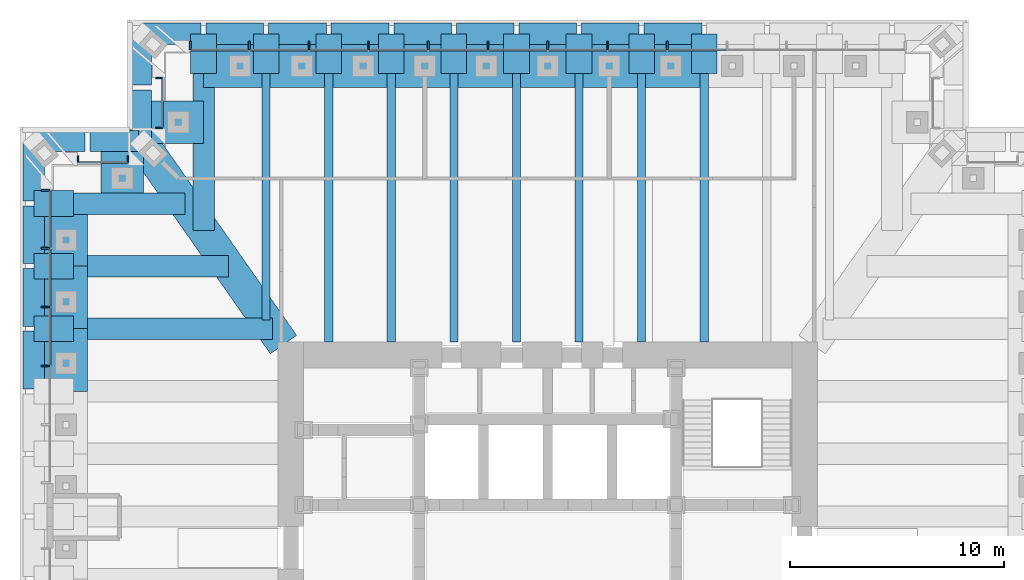
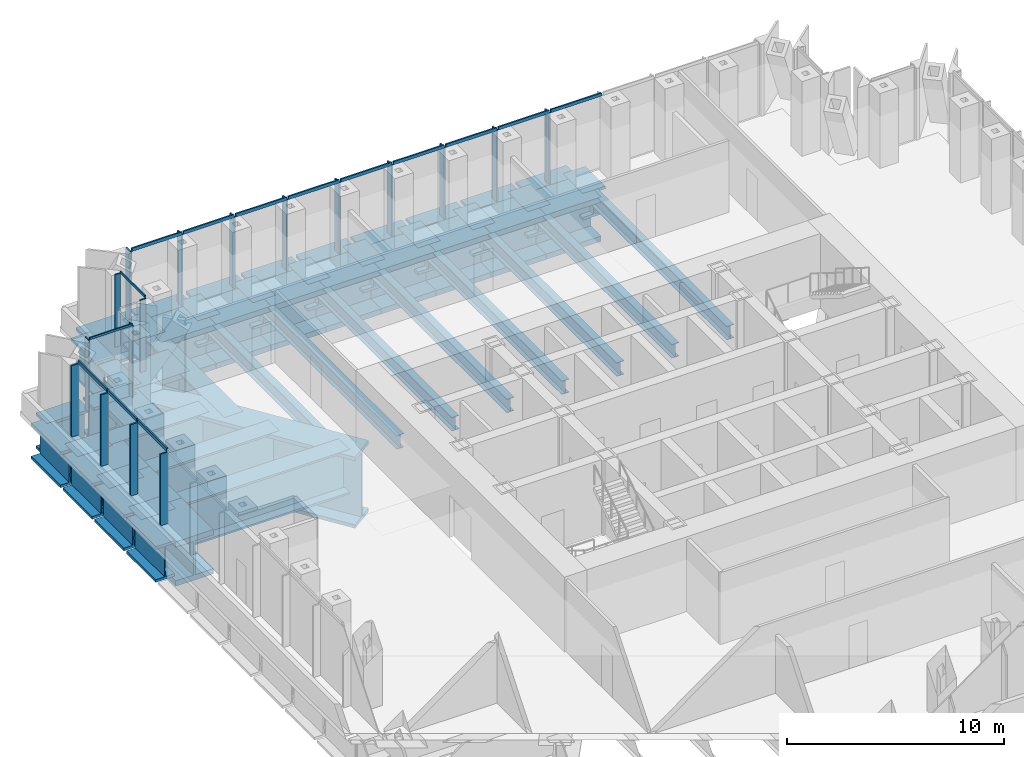
# One storey, part 5 of 13: 55 beams, 31 members, 4 elements without a shape of their own.
"""IFC4 building model written with IfcOpenShell, lengths in metres."""

from ifc_helpers import new_model, si_unit, direction, frame, origin, origin_2d, place, context, subcontext, project, spatial, rectangle, i_section, extrude, material, material_profile, profile_set, type_object, element, aggregate, save


model = new_model("IFC4")

# Units and contexts
model_context = context("Model", 3, precision=1e-05, world=origin(), true_north=direction((0.0, 1.0)))
body_context = subcontext(model_context, "Body", "Model", "MODEL_VIEW")
ifc_project = project(units=[si_unit("LENGTHUNIT", "METRE"), si_unit("AREAUNIT", "SQUARE_METRE"), si_unit("VOLUMEUNIT", "CUBIC_METRE"), si_unit("PLANEANGLEUNIT", "RADIAN"), si_unit("MASSUNIT", "GRAM", prefix="KILO")], contexts=[model_context])

# Site, building, storey
site_placement = place(None, origin())
site = spatial("IfcSite", under=ifc_project, at=site_placement, CompositionType="ELEMENT")
building_placement = place(site_placement, origin())
building = spatial("IfcBuilding", under=site, at=building_placement, Name="Daluyong Arena Tower", CompositionType="ELEMENT")
storey_placement = place(building_placement, frame((0.0, 0.0, 108.10009765625)))
storey = spatial("IfcBuildingStorey", under=building, at=storey_placement, Name="L23", CompositionType="ELEMENT", Elevation=108.10009765625)

# Curtain wall, members
ifc_material_1 = material(Name="Bronze anodised aluminium and glass", Category="aluminium")
curtain_wall_type_1 = type_object("IfcCurtainWallType", Name="Curtain wall CW2", PredefinedType="USERDEFINED", material=ifc_material_1)
curtain_wall_1_placement = place(storey_placement, origin())
curtain_wall_1 = element("IfcCurtainWall", 1, at=curtain_wall_1_placement, inside=storey, type_object=curtain_wall_type_1, Name="curtain wall L23 N", ObjectType="UNITISED CURTAIN WALL", PredefinedType="USERDEFINED")
ifc_material_2 = material(Name="Bronze anodised aluminium fin", Category="aluminium")
ifc_material_profile_1 = material_profile(ifc_material_2, rectangle(XDim=0.39990234375, YDim=0.080078125, at=origin_2d()))
ifc_profile_set_1 = profile_set([ifc_material_profile_1], Name="Bronze anodised aluminium fin")
member_type_1 = type_object("IfcMemberType", Name="CW2 bronze fin 400x80", PredefinedType="MULLION", material=ifc_profile_set_1)
member_1_placement = place(storey_placement, frame((61.578125, 103.449951171875, 0.0), z_axis=(0.0, 0.0, 1.0), x_axis=(0.0, -1.0, 0.0)))
member_1 = element("IfcMember", 2, at=member_1_placement, type_object=member_type_1, Name="curtain wall L23 N fin 5", PredefinedType="MULLION", context=body_context, shape_type="SweptSolid", body=[
    extrude(rectangle(XDim=0.39990234375, YDim=0.080078125, at=origin_2d()), origin(), (0.0, 0.0, 1.0), 4.02001953125),
])
member_2_placement = place(storey_placement, frame((58.7890625, 103.449951171875, 0.0), z_axis=(0.0, 0.0, 1.0), x_axis=(0.0, -1.0, 0.0)))
member_2 = element("IfcMember", 3, at=member_2_placement, type_object=member_type_1, Name="curtain wall L23 N fin 6", PredefinedType="MULLION", context=body_context, shape_type="SweptSolid", body=[
    extrude(rectangle(XDim=0.39990234375, YDim=0.080078125, at=origin_2d()), origin(), (0.0, 0.0, 1.0), 4.02001953125),
])
member_3_placement = place(storey_placement, frame((56.0, 103.449951171875, 0.0), z_axis=(0.0, 0.0, 1.0), x_axis=(0.0, -1.0, 0.0)))
member_3 = element("IfcMember", 4, at=member_3_placement, type_object=member_type_1, Name="curtain wall L23 N fin 7", PredefinedType="MULLION", context=body_context, shape_type="SweptSolid", body=[
    extrude(rectangle(XDim=0.39990234375, YDim=0.080078125, at=origin_2d()), origin(), (0.0, 0.0, 1.0), 4.02001953125),
])
member_4_placement = place(storey_placement, frame((53.2109375, 103.449951171875, 0.0), z_axis=(0.0, 0.0, 1.0), x_axis=(0.0, -1.0, 0.0)))
member_4 = element("IfcMember", 5, at=member_4_placement, type_object=member_type_1, Name="curtain wall L23 N fin 8", PredefinedType="MULLION", context=body_context, shape_type="SweptSolid", body=[
    extrude(rectangle(XDim=0.39990234375, YDim=0.080078125, at=origin_2d()), origin(), (0.0, 0.0, 1.0), 4.02001953125),
])
member_5_placement = place(storey_placement, frame((50.421875, 103.449951171875, 0.0), z_axis=(0.0, 0.0, 1.0), x_axis=(0.0, -1.0, 0.0)))
member_5 = element("IfcMember", 6, at=member_5_placement, type_object=member_type_1, Name="curtain wall L23 N fin 9", PredefinedType="MULLION", context=body_context, shape_type="SweptSolid", body=[
    extrude(rectangle(XDim=0.39990234375, YDim=0.080078125, at=origin_2d()), origin(), (0.0, 0.0, 1.0), 4.02001953125),
])
member_6_placement = place(storey_placement, frame((47.6328125, 103.449951171875, 0.0), z_axis=(0.0, 0.0, 1.0), x_axis=(0.0, -1.0, 0.0)))
member_6 = element("IfcMember", 7, at=member_6_placement, type_object=member_type_1, Name="curtain wall L23 N fin 10", PredefinedType="MULLION", context=body_context, shape_type="SweptSolid", body=[
    extrude(rectangle(XDim=0.39990234375, YDim=0.080078125, at=origin_2d()), origin(), (0.0, 0.0, 1.0), 4.02001953125),
])
member_7_placement = place(storey_placement, frame((44.84375, 103.449951171875, 0.0), z_axis=(0.0, 0.0, 1.0), x_axis=(0.0, -1.0, 0.0)))
member_7 = element("IfcMember", 8, at=member_7_placement, type_object=member_type_1, Name="curtain wall L23 N fin 11", PredefinedType="MULLION", context=body_context, shape_type="SweptSolid", body=[
    extrude(rectangle(XDim=0.39990234375, YDim=0.080078125, at=origin_2d()), origin(), (0.0, 0.0, 1.0), 4.02001953125),
])
member_8_placement = place(storey_placement, frame((42.0546875, 103.449951171875, 0.0), z_axis=(0.0, 0.0, 1.0), x_axis=(0.0, -1.0, 0.0)))
member_8 = element("IfcMember", 9, at=member_8_placement, type_object=member_type_1, Name="curtain wall L23 N fin 12", PredefinedType="MULLION", context=body_context, shape_type="SweptSolid", body=[
    extrude(rectangle(XDim=0.39990234375, YDim=0.080078125, at=origin_2d()), origin(), (0.0, 0.0, 1.0), 4.02001953125),
])
member_9_placement = place(storey_placement, frame((39.305419921875, 103.449951171875, 0.0), z_axis=(0.0, 0.0, 1.0), x_axis=(0.0, -1.0, 0.0)))
member_9 = element("IfcMember", 10, at=member_9_placement, type_object=member_type_1, Name="curtain wall L23 N fin 13", PredefinedType="MULLION", context=body_context, shape_type="SweptSolid", body=[
    extrude(rectangle(XDim=0.39990234375, YDim=0.080078125, at=origin_2d()), origin(), (0.0, 0.0, 1.0), 4.02001953125),
])

curtain_wall_2_placement = place(storey_placement, origin())
curtain_wall_2 = element("IfcCurtainWall", 11, at=curtain_wall_2_placement, inside=storey, type_object=curtain_wall_type_1, Name="curtain wall L23 W part 1", ObjectType="UNITISED CURTAIN WALL", PredefinedType="USERDEFINED")
member_10_placement = place(storey_placement, frame((32.550048828125, 96.694580078125, 0.0), z_axis=(0.0, 0.0, 1.0), x_axis=(1.0, 0.0, 0.0)))
member_10 = element("IfcMember", 12, at=member_10_placement, type_object=member_type_1, Name="curtain wall L23 W part 1 fin 1", PredefinedType="MULLION", context=body_context, shape_type="SweptSolid", body=[
    extrude(rectangle(XDim=0.39990234375, YDim=0.080078125, at=origin_2d()), origin(), (0.0, 0.0, 1.0), 4.02001953125),
])
member_11_placement = place(storey_placement, frame((32.550048828125, 93.987548828125, 0.0), z_axis=(0.0, 0.0, 1.0), x_axis=(1.0, 0.0, 0.0)))
member_11 = element("IfcMember", 13, at=member_11_placement, type_object=member_type_1, Name="curtain wall L23 W part 1 fin 2", PredefinedType="MULLION", context=body_context, shape_type="SweptSolid", body=[
    extrude(rectangle(XDim=0.39990234375, YDim=0.080078125, at=origin_2d()), origin(), (0.0, 0.0, 1.0), 4.02001953125),
])
member_12_placement = place(storey_placement, frame((32.550048828125, 91.24072265625, 0.0), z_axis=(0.0, 0.0, 1.0), x_axis=(1.0, 0.0, 0.0)))
member_12 = element("IfcMember", 14, at=member_12_placement, type_object=member_type_1, Name="curtain wall L23 W part 1 fin 3", PredefinedType="MULLION", context=body_context, shape_type="SweptSolid", body=[
    extrude(rectangle(XDim=0.39990234375, YDim=0.080078125, at=origin_2d()), origin(), (0.0, 0.0, 1.0), 4.02001953125),
])
member_13_placement = place(storey_placement, frame((32.550048828125, 88.493896484375, 0.0), z_axis=(0.0, 0.0, 1.0), x_axis=(1.0, 0.0, 0.0)))
member_13 = element("IfcMember", 15, at=member_13_placement, type_object=member_type_1, Name="curtain wall L23 W part 1 fin 4", PredefinedType="MULLION", context=body_context, shape_type="SweptSolid", body=[
    extrude(rectangle(XDim=0.39990234375, YDim=0.080078125, at=origin_2d()), origin(), (0.0, 0.0, 1.0), 4.02001953125),
])

# Member
ifc_material_3 = material(Name="Bronze anodised aluminium", Category="aluminium")
ifc_material_profile_2 = material_profile(ifc_material_3, rectangle(XDim=0.080078125, YDim=0.179931640625, at=origin_2d()))
ifc_profile_set_2 = profile_set([ifc_material_profile_2], Name="Bronze anodised aluminium")
member_type_2 = type_object("IfcMemberType", Name="CW2 stack transom 180x80", PredefinedType="USERDEFINED", material=ifc_profile_set_2)
member_14_placement = place(storey_placement, frame((64.3271484375, 103.25, 4.10986328125), z_axis=(-1.0, 0.0, 0.0), x_axis=(0.0, -1.0, 0.0)))
member_14 = element("IfcMember", 16, at=member_14_placement, type_object=member_type_2, Name="curtain wall L23 N transom 4", ObjectType="TRANSOM", PredefinedType="USERDEFINED", context=body_context, shape_type="SweptSolid", body=[
    extrude(rectangle(XDim=0.080078125, YDim=0.179931640625, at=origin_2d()), origin(), (0.0, 0.0, 1.0), 2.708984375),
])

member_15_placement = place(storey_placement, frame((61.5380859375, 103.25, 4.10986328125), z_axis=(-1.0, 0.0, 0.0), x_axis=(0.0, -1.0, 0.0)))
member_15 = element("IfcMember", 17, at=member_15_placement, type_object=member_type_2, Name="curtain wall L23 N transom 5", ObjectType="TRANSOM", PredefinedType="USERDEFINED", context=body_context, shape_type="SweptSolid", body=[
    extrude(rectangle(XDim=0.080078125, YDim=0.179931640625, at=origin_2d()), origin(), (0.0, 0.0, 1.0), 2.708984375),
])

member_16_placement = place(storey_placement, frame((58.7490234375, 103.25, 4.10986328125), z_axis=(-1.0, 0.0, 0.0), x_axis=(0.0, -1.0, 0.0)))
member_16 = element("IfcMember", 18, at=member_16_placement, type_object=member_type_2, Name="curtain wall L23 N transom 6", ObjectType="TRANSOM", PredefinedType="USERDEFINED", context=body_context, shape_type="SweptSolid", body=[
    extrude(rectangle(XDim=0.080078125, YDim=0.179931640625, at=origin_2d()), origin(), (0.0, 0.0, 1.0), 2.708984375),
])

member_17_placement = place(storey_placement, frame((55.9599609375, 103.25, 4.10986328125), z_axis=(-1.0, 0.0, 0.0), x_axis=(0.0, -1.0, 0.0)))
member_17 = element("IfcMember", 19, at=member_17_placement, type_object=member_type_2, Name="curtain wall L23 N transom 7", ObjectType="TRANSOM", PredefinedType="USERDEFINED", context=body_context, shape_type="SweptSolid", body=[
    extrude(rectangle(XDim=0.080078125, YDim=0.179931640625, at=origin_2d()), origin(), (0.0, 0.0, 1.0), 2.708984375),
])

member_18_placement = place(storey_placement, frame((53.1708984375, 103.25, 4.10986328125), z_axis=(-1.0, 0.0, 0.0), x_axis=(0.0, -1.0, 0.0)))
member_18 = element("IfcMember", 20, at=member_18_placement, type_object=member_type_2, Name="curtain wall L23 N transom 8", ObjectType="TRANSOM", PredefinedType="USERDEFINED", context=body_context, shape_type="SweptSolid", body=[
    extrude(rectangle(XDim=0.080078125, YDim=0.179931640625, at=origin_2d()), origin(), (0.0, 0.0, 1.0), 2.708984375),
])

member_19_placement = place(storey_placement, frame((50.3818359375, 103.25, 4.10986328125), z_axis=(-1.0, 0.0, 0.0), x_axis=(0.0, -1.0, 0.0)))
member_19 = element("IfcMember", 21, at=member_19_placement, type_object=member_type_2, Name="curtain wall L23 N transom 9", ObjectType="TRANSOM", PredefinedType="USERDEFINED", context=body_context, shape_type="SweptSolid", body=[
    extrude(rectangle(XDim=0.080078125, YDim=0.179931640625, at=origin_2d()), origin(), (0.0, 0.0, 1.0), 2.708984375),
])

member_20_placement = place(storey_placement, frame((47.5927734375, 103.25, 4.10986328125), z_axis=(-1.0, 0.0, 0.0), x_axis=(0.0, -1.0, 0.0)))
member_20 = element("IfcMember", 22, at=member_20_placement, type_object=member_type_2, Name="curtain wall L23 N transom 10", ObjectType="TRANSOM", PredefinedType="USERDEFINED", context=body_context, shape_type="SweptSolid", body=[
    extrude(rectangle(XDim=0.080078125, YDim=0.179931640625, at=origin_2d()), origin(), (0.0, 0.0, 1.0), 2.709228515625),
])

member_21_placement = place(storey_placement, frame((44.8037109375, 103.25, 4.10986328125), z_axis=(-1.0, 0.0, 0.0), x_axis=(0.0, -1.0, 0.0)))
member_21 = element("IfcMember", 23, at=member_21_placement, type_object=member_type_2, Name="curtain wall L23 N transom 11", ObjectType="TRANSOM", PredefinedType="USERDEFINED", context=body_context, shape_type="SweptSolid", body=[
    extrude(rectangle(XDim=0.080078125, YDim=0.179931640625, at=origin_2d()), origin(), (0.0, 0.0, 1.0), 2.709228515625),
])

member_22_placement = place(storey_placement, frame((42.0146484375, 103.25, 4.10986328125), z_axis=(-1.0, 0.0, 0.0), x_axis=(0.0, -1.0, 0.0)))
member_22 = element("IfcMember", 24, at=member_22_placement, type_object=member_type_2, Name="curtain wall L23 N transom 12", ObjectType="TRANSOM", PredefinedType="USERDEFINED", context=body_context, shape_type="SweptSolid", body=[
    extrude(rectangle(XDim=0.080078125, YDim=0.179931640625, at=origin_2d()), origin(), (0.0, 0.0, 1.0), 2.669189453125),
])

aggregate(curtain_wall_1, [member_1, member_2, member_3, member_4, member_5, member_6, member_7, member_8, member_9, member_14, member_15, member_16, member_17, member_18, member_19, member_20, member_21, member_22])

member_23_placement = place(storey_placement, frame((32.75, 96.654541015625, 4.10986328125), z_axis=(0.0, -1.0, 0.0), x_axis=(1.0, 0.0, 0.0)))
member_23 = element("IfcMember", 25, at=member_23_placement, type_object=member_type_2, Name="curtain wall L23 W part 1 transom 1", ObjectType="TRANSOM", PredefinedType="USERDEFINED", context=body_context, shape_type="SweptSolid", body=[
    extrude(rectangle(XDim=0.080078125, YDim=0.179931640625, at=origin_2d()), origin(), (0.0, 0.0, 1.0), 2.626953125),
])

member_24_placement = place(storey_placement, frame((32.75, 93.947509765625, 4.10986328125), z_axis=(0.0, -1.0, 0.0), x_axis=(1.0, 0.0, 0.0)))
member_24 = element("IfcMember", 26, at=member_24_placement, type_object=member_type_2, Name="curtain wall L23 W part 1 transom 2", ObjectType="TRANSOM", PredefinedType="USERDEFINED", context=body_context, shape_type="SweptSolid", body=[
    extrude(rectangle(XDim=0.080078125, YDim=0.179931640625, at=origin_2d()), origin(), (0.0, 0.0, 1.0), 2.666748046875),
])

member_25_placement = place(storey_placement, frame((32.75, 91.20068359375, 4.10986328125), z_axis=(0.0, -1.0, 0.0), x_axis=(1.0, 0.0, 0.0)))
member_25 = element("IfcMember", 27, at=member_25_placement, type_object=member_type_2, Name="curtain wall L23 W part 1 transom 3", ObjectType="TRANSOM", PredefinedType="USERDEFINED", context=body_context, shape_type="SweptSolid", body=[
    extrude(rectangle(XDim=0.080078125, YDim=0.179931640625, at=origin_2d()), origin(), (0.0, 0.0, 1.0), 2.6669921875),
])

aggregate(curtain_wall_2, [member_10, member_11, member_12, member_13, member_23, member_24, member_25])

# Curtain wall, members
ifc_material_4 = material(Name="Bronze anodised aluminium and glass", Category="aluminium")
curtain_wall_type_2 = type_object("IfcCurtainWallType", Name="Curtain wall CW7", PredefinedType="USERDEFINED", material=ifc_material_4)
curtain_wall_3_placement = place(storey_placement, origin())
curtain_wall_3 = element("IfcCurtainWall", 28, at=curtain_wall_3_placement, inside=storey, type_object=curtain_wall_type_2, Name="curtain wall L23 NW-W", ObjectType="UNITISED CURTAIN WALL", PredefinedType="USERDEFINED")
ifc_material_5 = material(Name="Bronze anodised aluminium fin", Category="aluminium")
ifc_material_profile_3 = material_profile(ifc_material_5, rectangle(XDim=0.300048828125, YDim=0.06005859375, at=origin_2d()))
ifc_profile_set_3 = profile_set([ifc_material_profile_3], Name="Bronze anodised aluminium fin")
member_type_3 = type_object("IfcMemberType", Name="CW7 bronze fin 300x60", PredefinedType="MULLION", material=ifc_profile_set_3)
member_26_placement = place(storey_placement, frame((37.85009765625, 101.94091796875, 0.0), z_axis=(0.0, 0.0, 1.0), x_axis=(1.0, 0.0, 0.0)))
member_26 = element("IfcMember", 29, at=member_26_placement, type_object=member_type_3, Name="curtain wall L23 NW-W fin 1", PredefinedType="MULLION", context=body_context, shape_type="SweptSolid", body=[
    extrude(rectangle(XDim=0.300048828125, YDim=0.06005859375, at=origin_2d()), origin(), (0.0, 0.0, 1.0), 4.079833984375),
])
member_27_placement = place(storey_placement, frame((37.85009765625, 99.60205078125, 0.0), z_axis=(0.0, 0.0, 1.0), x_axis=(1.0, 0.0, 0.0)))
member_27 = element("IfcMember", 30, at=member_27_placement, type_object=member_type_3, Name="curtain wall L23 NW-W fin 2", PredefinedType="MULLION", context=body_context, shape_type="SweptSolid", body=[
    extrude(rectangle(XDim=0.300048828125, YDim=0.06005859375, at=origin_2d()), origin(), (0.0, 0.0, 1.0), 4.079833984375),
])

curtain_wall_4_placement = place(storey_placement, origin())
curtain_wall_4 = element("IfcCurtainWall", 31, at=curtain_wall_4_placement, inside=storey, type_object=curtain_wall_type_2, Name="curtain wall L23 NW-N", ObjectType="UNITISED CURTAIN WALL", PredefinedType="USERDEFINED")
member_28_placement = place(storey_placement, frame((36.39794921875, 98.14990234375, 0.0), z_axis=(0.0, 0.0, 1.0), x_axis=(0.0, -1.0, 0.0)))
member_28 = element("IfcMember", 32, at=member_28_placement, type_object=member_type_3, Name="curtain wall L23 NW-N fin 1", PredefinedType="MULLION", context=body_context, shape_type="SweptSolid", body=[
    extrude(rectangle(XDim=0.300048828125, YDim=0.06005859375, at=origin_2d()), origin(), (0.0, 0.0, 1.0), 4.079833984375),
])
member_29_placement = place(storey_placement, frame((34.05908203125, 98.14990234375, 0.0), z_axis=(0.0, 0.0, 1.0), x_axis=(0.0, -1.0, 0.0)))
member_29 = element("IfcMember", 33, at=member_29_placement, type_object=member_type_3, Name="curtain wall L23 NW-N fin 2", PredefinedType="MULLION", context=body_context, shape_type="SweptSolid", body=[
    extrude(rectangle(XDim=0.300048828125, YDim=0.06005859375, at=origin_2d()), origin(), (0.0, 0.0, 1.0), 4.079833984375),
])

# Member
ifc_material_6 = material(Name="Bronze anodised aluminium", Category="aluminium")
ifc_material_profile_4 = material_profile(ifc_material_6, rectangle(XDim=0.06005859375, YDim=0.1201171875, at=origin_2d()))
ifc_profile_set_4 = profile_set([ifc_material_profile_4], Name="Bronze anodised aluminium")
member_type_4 = type_object("IfcMemberType", Name="CW7 stack transom 120x60", PredefinedType="USERDEFINED", material=ifc_profile_set_4)
member_30_placement = place(storey_placement, frame((38.0, 101.910888671875, 4.139892578125), z_axis=(0.0, -1.0, 0.0), x_axis=(1.0, 0.0, 0.0)))
member_30 = element("IfcMember", 34, at=member_30_placement, type_object=member_type_4, Name="curtain wall L23 NW-W transom 1", ObjectType="TRANSOM", PredefinedType="USERDEFINED", context=body_context, shape_type="SweptSolid", body=[
    extrude(rectangle(XDim=0.06005859375, YDim=0.1201171875, at=origin_2d()), origin(), (0.0, 0.0, 1.0), 2.27880859375),
])

aggregate(curtain_wall_3, [member_26, member_27, member_30])

member_31_placement = place(storey_placement, frame((36.367919921875, 98.0, 4.139892578125), z_axis=(-1.0, 0.0, 0.0), x_axis=(0.0, -1.0, 0.0)))
member_31 = element("IfcMember", 35, at=member_31_placement, type_object=member_type_4, Name="curtain wall L23 NW-N transom 1", ObjectType="TRANSOM", PredefinedType="USERDEFINED", context=body_context, shape_type="SweptSolid", body=[
    extrude(rectangle(XDim=0.06005859375, YDim=0.1201171875, at=origin_2d()), origin(), (0.0, 0.0, 1.0), 2.27880859375),
])

aggregate(curtain_wall_4, [member_28, member_29, member_31])

# Beams
ifc_material_7 = material(Name="Steel ASTM A572 Grade 50", Category="steel")
ifc_material_profile_5 = material_profile(ifc_material_7, i_section(OverallWidth=1.0, OverallDepth=2.5, WebThickness=0.05, FlangeThickness=0.1, at=origin_2d()))
ifc_profile_set_5 = profile_set([ifc_material_profile_5], Name="Steel ASTM A572 Grade 50")
beam_type_1 = type_object("IfcBeamType", Name="Floor beam PG2500X1000", PredefinedType="BEAM", material=ifc_profile_set_5)
beam_1_placement = place(storey_placement, frame((39.923095703125, 102.14990234375, -1.5), z_axis=(0.0, -1.0, 0.0), x_axis=(1.0, 0.0, 0.0)))
element("IfcBeam", 36, at=beam_1_placement, inside=storey, type_object=beam_type_1, Name="floor beam FB6", PredefinedType="BEAM", context=body_context, shape_type="SweptSolid", body=[
    extrude(i_section(OverallWidth=1.0, OverallDepth=2.5, WebThickness=0.05, FlangeThickness=0.1, at=origin_2d()), origin(), (0.0, 0.0, 1.0), 7.32568359375),
])
beam_2_placement = place(storey_placement, frame((33.85009765625, 96.076904296875, -1.5), z_axis=(1.0, 0.0, 0.0), x_axis=(0.0, 1.0, 0.0)))
element("IfcBeam", 37, at=beam_2_placement, inside=storey, type_object=beam_type_1, Name="floor beam FB6", PredefinedType="BEAM", context=body_context, shape_type="SweptSolid", body=[
    extrude(i_section(OverallWidth=1.0, OverallDepth=2.5, WebThickness=0.05, FlangeThickness=0.1, at=origin_2d()), origin(), (0.0, 0.0, 1.0), 5.196044921875),
])
beam_3_placement = place(storey_placement, frame((33.85009765625, 93.15380859375, -1.5), z_axis=(1.0, 0.0, 0.0), x_axis=(0.0, 1.0, 0.0)))
element("IfcBeam", 38, at=beam_3_placement, inside=storey, type_object=beam_type_1, Name="floor beam FB6", PredefinedType="BEAM", context=body_context, shape_type="SweptSolid", body=[
    extrude(i_section(OverallWidth=1.0, OverallDepth=2.5, WebThickness=0.05, FlangeThickness=0.1, at=origin_2d()), origin(), (0.0, 0.0, 1.0), 7.2421875),
])
beam_4_placement = place(storey_placement, frame((33.85009765625, 90.230712890625, -1.5), z_axis=(1.0, 0.0, 0.0), x_axis=(0.0, 1.0, 0.0)))
element("IfcBeam", 39, at=beam_4_placement, inside=storey, type_object=beam_type_1, Name="floor beam FB6", PredefinedType="BEAM", context=body_context, shape_type="SweptSolid", body=[
    extrude(i_section(OverallWidth=1.0, OverallDepth=2.5, WebThickness=0.05, FlangeThickness=0.1, at=origin_2d()), origin(), (0.0, 0.0, 1.0), 9.288330078125),
])
ifc_material_8 = material(Name="Steel ASTM A992 Grade 50", Category="steel")
ifc_material_profile_6 = material_profile(ifc_material_8, i_section(OverallWidth=0.381103515625, OverallDepth=0.772216796875, WebThickness=0.0166015625, FlangeThickness=0.027099609375, at=origin_2d()))
ifc_profile_set_6 = profile_set([ifc_material_profile_6], Name="Steel ASTM A992 Grade 50")
beam_type_2 = type_object("IfcBeamType", Name="Floor beam W30X173", PredefinedType="BEAM", material=ifc_profile_set_6)
for number, where, z_axis, x_axis, name in (
    (40, (63.3076171875, 102.14990234375, -0.63623046875), (0.0, -1.0, 0.0), (1.0, 0.0, 0.0), "floor beam FB2"),
    (41, (60.384521484375, 102.14990234375, -0.63623046875), (0.0, -1.0, 0.0), (1.0, 0.0, 0.0), "floor beam FB2"),
    (42, (57.46142578125, 102.14990234375, -0.63623046875), (0.0, -1.0, 0.0), (1.0, 0.0, 0.0), "floor beam FB2"),
    (43, (54.53857421875, 102.14990234375, -0.63623046875), (0.0, -1.0, 0.0), (1.0, 0.0, 0.0), "floor beam FB2"),
    (44, (51.615478515625, 102.14990234375, -0.63623046875), (0.0, -1.0, 0.0), (1.0, 0.0, 0.0), "floor beam FB2"),
    (45, (48.6923828125, 102.14990234375, -0.63623046875), (0.0, -1.0, 0.0), (1.0, 0.0, 0.0), "floor beam FB2"),
    (46, (45.769287109375, 102.14990234375, -0.63623046875), (0.0, -1.0, 0.0), (1.0, 0.0, 0.0), "floor beam FB2"),
):
    element("IfcBeam", number, at=place(storey_placement, frame(where, z_axis=z_axis, x_axis=x_axis)), inside=storey, type_object=beam_type_2, Name=name, PredefinedType="BEAM", context=body_context, shape_type="SweptSolid", body=[
        extrude(i_section(OverallWidth=0.381103515625, OverallDepth=0.772216796875, WebThickness=0.0166015625, FlangeThickness=0.027099609375, at=origin_2d()), origin(), (0.0, 0.0, 1.0), 12.5498046875),
    ])
beam_5_placement = place(storey_placement, frame((42.84619140625, 102.14990234375, -0.63623046875), z_axis=(0.0, -1.0, 0.0), x_axis=(1.0, 0.0, 0.0)))
element("IfcBeam", 47, at=beam_5_placement, inside=storey, type_object=beam_type_2, Name="floor beam FB2", PredefinedType="BEAM", context=body_context, shape_type="SweptSolid", body=[
    extrude(i_section(OverallWidth=0.381103515625, OverallDepth=0.772216796875, WebThickness=0.0166015625, FlangeThickness=0.027099609375, at=origin_2d()), origin(), (0.0, 0.0, 1.0), 11.50146484375),
])
ifc_material_9 = material(Name="Steel ASTM A588 Grade 50", Category="steel")
ifc_material_profile_7 = material_profile(ifc_material_9, i_section(OverallWidth=1.0, OverallDepth=2.0, WebThickness=0.06, FlangeThickness=0.15, at=origin_2d()))
ifc_profile_set_7 = profile_set([ifc_material_profile_7], Name="Steel ASTM A588 Grade 50")
beam_type_3 = type_object("IfcBeamType", Name="Spandrel Z1 PG2000X1000", PredefinedType="SPANDREL", material=ifc_profile_set_7)
for number, where, z_axis, x_axis, name in (
    (48, (63.192626953125, 104.0, -1.25), (-1.0, 0.0, 0.0), (0.0, -1.0, 0.0), "spandrel z1 SB2"),
    (49, (60.26953125, 104.0, -1.25), (-1.0, 0.0, 0.0), (0.0, -1.0, 0.0), "spandrel z1 SB2"),
):
    element("IfcBeam", number, at=place(storey_placement, frame(where, z_axis=z_axis, x_axis=x_axis)), inside=storey, type_object=beam_type_3, Name=name, PredefinedType="SPANDREL", context=body_context, shape_type="SweptSolid", body=[
        extrude(i_section(OverallWidth=1.0, OverallDepth=2.0, WebThickness=0.06, FlangeThickness=0.15, at=origin_2d()), origin(), (0.0, 0.0, 1.0), 2.693115234375),
    ])
beam_6_placement = place(storey_placement, frame((57.346435546875, 104.0, -1.25), z_axis=(-1.0, 0.0, 0.0), x_axis=(0.0, -1.0, 0.0)))
element("IfcBeam", 50, at=beam_6_placement, inside=storey, type_object=beam_type_3, Name="spandrel z1 SB2", PredefinedType="SPANDREL", context=body_context, shape_type="SweptSolid", body=[
    extrude(i_section(OverallWidth=1.0, OverallDepth=2.0, WebThickness=0.06, FlangeThickness=0.15, at=origin_2d()), origin(), (0.0, 0.0, 1.0), 2.69287109375),
])
for number, where, z_axis, x_axis, name in (
    (51, (54.423583984375, 104.0, -1.25), (-1.0, 0.0, 0.0), (0.0, -1.0, 0.0), "spandrel z1 SB2"),
    (52, (51.50048828125, 104.0, -1.25), (-1.0, 0.0, 0.0), (0.0, -1.0, 0.0), "spandrel z1 SB2"),
    (53, (48.577392578125, 104.0, -1.25), (-1.0, 0.0, 0.0), (0.0, -1.0, 0.0), "spandrel z1 SB2"),
    (54, (45.654296875, 104.0, -1.25), (-1.0, 0.0, 0.0), (0.0, -1.0, 0.0), "spandrel z1 SB2"),
    (55, (42.731201171875, 104.0, -1.25), (-1.0, 0.0, 0.0), (0.0, -1.0, 0.0), "spandrel z1 SB2"),
    (56, (39.80810546875, 104.0, -1.25), (-1.0, 0.0, 0.0), (0.0, -1.0, 0.0), "spandrel z1 SB2"),
):
    element("IfcBeam", number, at=place(storey_placement, frame(where, z_axis=z_axis, x_axis=x_axis)), inside=storey, type_object=beam_type_3, Name=name, PredefinedType="SPANDREL", context=body_context, shape_type="SweptSolid", body=[
        extrude(i_section(OverallWidth=1.0, OverallDepth=2.0, WebThickness=0.06, FlangeThickness=0.15, at=origin_2d()), origin(), (0.0, 0.0, 1.0), 2.693115234375),
    ])
for number, where, z_axis, x_axis, name in (
    (57, (37.0, 103.885009765625, -1.25), (0.0, -1.0, 0.0), (1.0, 0.0, 0.0), "spandrel z1 SB2"),
    (58, (37.0, 101.385009765625, -1.25), (0.0, -1.0, 0.0), (1.0, 0.0, 0.0), "spandrel z1 SB2"),
    (59, (36.885009765625, 99.0, -1.25), (-1.0, 0.0, 0.0), (0.0, -1.0, 0.0), "spandrel z1 SB2"),
    (60, (34.385009765625, 99.0, -1.25), (-1.0, 0.0, 0.0), (0.0, -1.0, 0.0), "spandrel z1 SB2"),
):
    element("IfcBeam", number, at=place(storey_placement, frame(where, z_axis=z_axis, x_axis=x_axis)), inside=storey, type_object=beam_type_3, Name=name, PredefinedType="SPANDREL", context=body_context, shape_type="SweptSolid", body=[
        extrude(i_section(OverallWidth=1.0, OverallDepth=2.0, WebThickness=0.06, FlangeThickness=0.15, at=origin_2d()), origin(), (0.0, 0.0, 1.0), 2.27001953125),
    ])
for number, where, z_axis, x_axis, name in (
    (61, (32.0, 98.885009765625, -1.25), (0.0, -1.0, 0.0), (1.0, 0.0, 0.0), "spandrel z1 SB2"),
    (62, (32.0, 95.9619140625, -1.25), (0.0, -1.0, 0.0), (1.0, 0.0, 0.0), "spandrel z1 SB2"),
    (63, (32.0, 93.038818359375, -1.25), (0.0, -1.0, 0.0), (1.0, 0.0, 0.0), "spandrel z1 SB2"),
    (64, (32.0, 90.11572265625, -1.25), (0.0, -1.0, 0.0), (1.0, 0.0, 0.0), "spandrel z1 SB2"),
):
    element("IfcBeam", number, at=place(storey_placement, frame(where, z_axis=z_axis, x_axis=x_axis)), inside=storey, type_object=beam_type_3, Name=name, PredefinedType="SPANDREL", context=body_context, shape_type="SweptSolid", body=[
        extrude(i_section(OverallWidth=1.0, OverallDepth=2.0, WebThickness=0.06, FlangeThickness=0.15, at=origin_2d()), origin(), (0.0, 0.0, 1.0), 2.693115234375),
    ])
ifc_material_10 = material(Name="Steel ASTM A588 Grade 50", Category="steel")
ifc_material_profile_8 = material_profile(ifc_material_10, i_section(OverallWidth=1.199951171875, OverallDepth=1.5, WebThickness=0.08, FlangeThickness=0.15, at=origin_2d()))
ifc_profile_set_8 = profile_set([ifc_material_profile_8], Name="Steel ASTM A588 Grade 50")
beam_type_4 = type_object("IfcBeamType", Name="Transfer beam PG1500X1200", PredefinedType="BEAM", material=ifc_profile_set_8)
for number, where, z_axis, x_axis, name in (
    (65, (63.3076171875, 104.0, -1.0), (0.0, -1.0, 0.0), (1.0, 0.0, 0.0), "transfer beam TR4"),
    (66, (60.384521484375, 104.0, -1.0), (0.0, -1.0, 0.0), (1.0, 0.0, 0.0), "transfer beam TR4"),
    (67, (57.46142578125, 104.0, -1.0), (0.0, -1.0, 0.0), (1.0, 0.0, 0.0), "transfer beam TR4"),
    (68, (54.53857421875, 104.0, -1.0), (0.0, -1.0, 0.0), (1.0, 0.0, 0.0), "transfer beam TR4"),
    (69, (51.615478515625, 104.0, -1.0), (0.0, -1.0, 0.0), (1.0, 0.0, 0.0), "transfer beam TR4"),
    (70, (48.6923828125, 104.0, -1.0), (0.0, -1.0, 0.0), (1.0, 0.0, 0.0), "transfer beam TR4"),
    (71, (45.769287109375, 104.0, -1.0), (0.0, -1.0, 0.0), (1.0, 0.0, 0.0), "transfer beam TR4"),
    (72, (42.84619140625, 104.0, -1.0), (0.0, -1.0, 0.0), (1.0, 0.0, 0.0), "transfer beam TR4"),
    (73, (39.923095703125, 104.0, -1.0), (0.0, -1.0, 0.0), (1.0, 0.0, 0.0), "transfer beam TR4"),
    (74, (32.0, 96.076904296875, -1.0), (1.0, 0.0, 0.0), (0.0, 1.0, 0.0), "transfer beam TR4"),
    (75, (32.0, 93.15380859375, -1.0), (1.0, 0.0, 0.0), (0.0, 1.0, 0.0), "transfer beam TR4"),
    (76, (32.0, 90.230712890625, -1.0), (1.0, 0.0, 0.0), (0.0, 1.0, 0.0), "transfer beam TR4"),
):
    element("IfcBeam", number, at=place(storey_placement, frame(where, z_axis=z_axis, x_axis=x_axis)), inside=storey, type_object=beam_type_4, Name=name, PredefinedType="BEAM", context=body_context, shape_type="SweptSolid", body=[
        extrude(i_section(OverallWidth=1.199951171875, OverallDepth=1.5, WebThickness=0.08, FlangeThickness=0.15, at=origin_2d()), origin(), (0.0, 0.0, 1.0), 1.85009765625),
    ])
ifc_material_11 = material(Name="Steel ASTM A36", Category="steel")
ifc_material_profile_9 = material_profile(ifc_material_11, i_section(OverallWidth=2.0, OverallDepth=2.5, WebThickness=0.12, FlangeThickness=0.3, at=origin_2d()))
ifc_profile_set_9 = profile_set([ifc_material_profile_9], Name="Steel ASTM A36")
beam_type_5 = type_object("IfcBeamType", Name="Transfer beam PG2500X2000", PredefinedType="BEAM", material=ifc_profile_set_9)
for number, where, z_axis, x_axis, name in (
    (77, (37.0, 99.875, -1.5), (1.0, 0.0, 0.0), (0.0, 1.0, 0.0), "transfer beam TR3"),
    (78, (39.923095703125, 102.5, -1.5), (1.0, 0.0, 0.0), (0.0, 1.0, 0.0), "transfer beam TR3"),
    (79, (42.84619140625, 102.5, -1.5), (1.0, 0.0, 0.0), (0.0, 1.0, 0.0), "transfer beam TR3"),
    (80, (45.769287109375, 102.5, -1.5), (1.0, 0.0, 0.0), (0.0, 1.0, 0.0), "transfer beam TR3"),
    (81, (48.6923828125, 102.5, -1.5), (1.0, 0.0, 0.0), (0.0, 1.0, 0.0), "transfer beam TR3"),
    (82, (51.615478515625, 102.5, -1.5), (1.0, 0.0, 0.0), (0.0, 1.0, 0.0), "transfer beam TR3"),
):
    element("IfcBeam", number, at=place(storey_placement, frame(where, z_axis=z_axis, x_axis=x_axis)), inside=storey, type_object=beam_type_5, Name=name, PredefinedType="BEAM", context=body_context, shape_type="SweptSolid", body=[
        extrude(i_section(OverallWidth=2.0, OverallDepth=2.5, WebThickness=0.12, FlangeThickness=0.3, at=origin_2d()), origin(), (0.0, 0.0, 1.0), 2.923095703125),
    ])
beam_7_placement = place(storey_placement, frame((54.53857421875, 102.5, -1.5), z_axis=(1.0, 0.0, 0.0), x_axis=(0.0, 1.0, 0.0)))
element("IfcBeam", 83, at=beam_7_placement, inside=storey, type_object=beam_type_5, Name="transfer beam TR3", PredefinedType="BEAM", context=body_context, shape_type="SweptSolid", body=[
    extrude(i_section(OverallWidth=2.0, OverallDepth=2.5, WebThickness=0.12, FlangeThickness=0.3, at=origin_2d()), origin(), (0.0, 0.0, 1.0), 2.9228515625),
])
for number, where, z_axis, x_axis, name in (
    (84, (57.46142578125, 102.5, -1.5), (1.0, 0.0, 0.0), (0.0, 1.0, 0.0), "transfer beam TR3"),
    (85, (60.384521484375, 102.5, -1.5), (1.0, 0.0, 0.0), (0.0, 1.0, 0.0), "transfer beam TR3"),
    (86, (33.5, 87.3076171875, -1.5), (0.0, 1.0, 0.0), (-1.0, 0.0, 0.0), "transfer beam TR3"),
    (87, (33.5, 90.230712890625, -1.5), (0.0, 1.0, 0.0), (-1.0, 0.0, 0.0), "transfer beam TR3"),
    (88, (33.5, 93.15380859375, -1.5), (0.0, 1.0, 0.0), (-1.0, 0.0, 0.0), "transfer beam TR3"),
    (89, (36.125, 96.076904296875, -1.5), (0.0, 1.0, 0.0), (-1.0, 0.0, 0.0), "transfer beam TR3"),
):
    element("IfcBeam", number, at=place(storey_placement, frame(where, z_axis=z_axis, x_axis=x_axis)), inside=storey, type_object=beam_type_5, Name=name, PredefinedType="BEAM", context=body_context, shape_type="SweptSolid", body=[
        extrude(i_section(OverallWidth=2.0, OverallDepth=2.5, WebThickness=0.12, FlangeThickness=0.3, at=origin_2d()), origin(), (0.0, 0.0, 1.0), 2.923095703125),
    ])
ifc_material_12 = material(Name="Steel ASTM A588 Grade 50", Category="steel")
ifc_material_profile_10 = material_profile(ifc_material_12, i_section(OverallWidth=1.5, OverallDepth=4.0, WebThickness=0.1, FlangeThickness=0.2, at=origin_2d()))
ifc_profile_set_10 = profile_set([ifc_material_profile_10], Name="Steel ASTM A588 Grade 50")
beam_type_6 = type_object("IfcBeamType", Name="Transfer beam PG4000X1500", PredefinedType="BEAM", material=ifc_profile_set_10)
beam_8_placement = place(storey_placement, frame((37.0, 99.0, -2.25), z_axis=(0.573463756074, -0.81923093232, 0.0), x_axis=(0.81923093232, 0.573463756074, 0.0)))
element("IfcBeam", 90, at=beam_8_placement, inside=storey, type_object=beam_type_6, Name="transfer beam TR1", PredefinedType="BEAM", context=body_context, shape_type="SweptSolid", body=[
    extrude(i_section(OverallWidth=1.5, OverallDepth=4.0, WebThickness=0.1, FlangeThickness=0.2, at=origin_2d()), origin(), (0.0, 0.0, 1.0), 11.606689453125),
])

save(model, "model.ifc")
